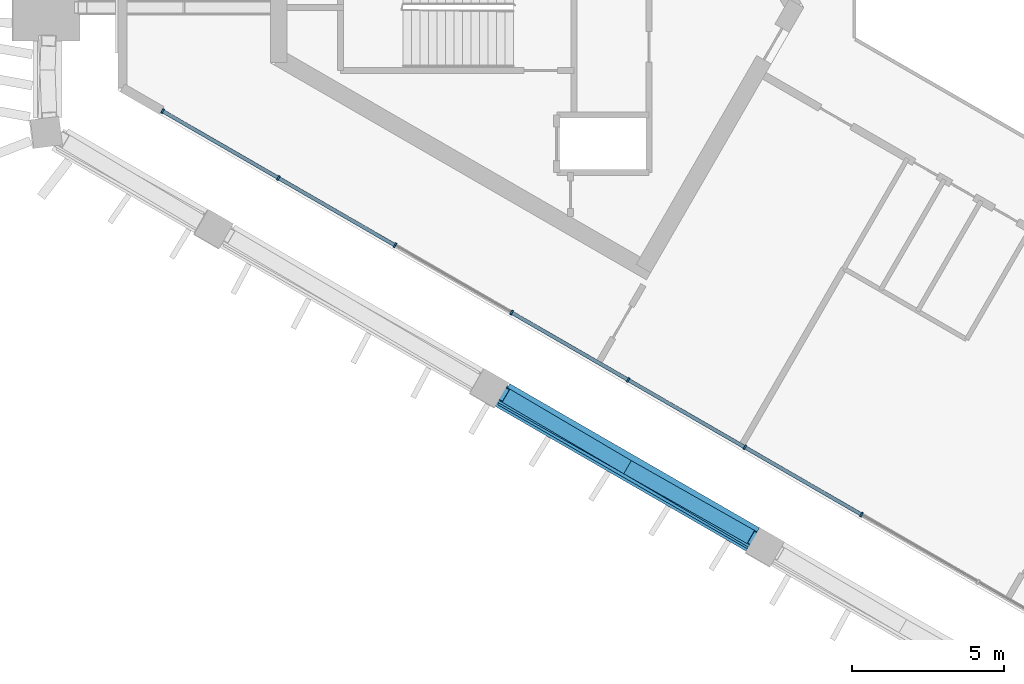
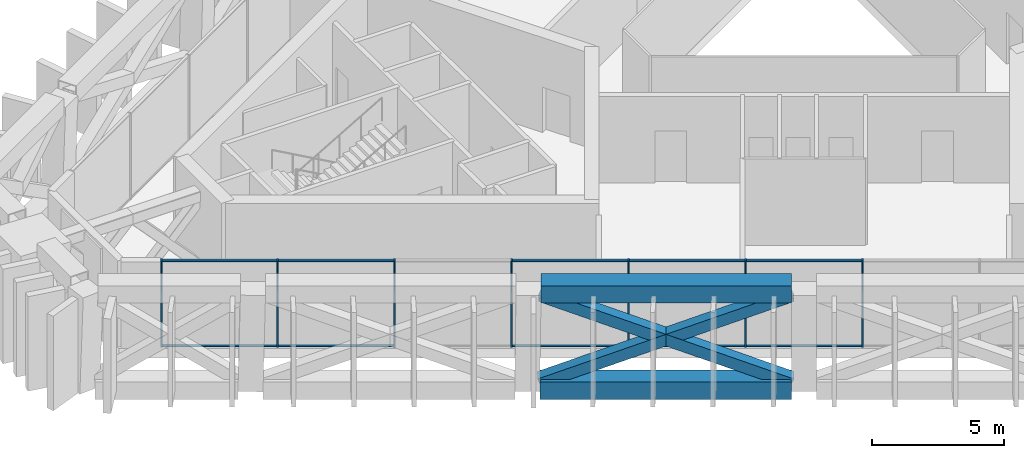
# One storey, part 2 of 15: 21 members, 1 element without a shape of its own.
"""IFC4 building model written with IfcOpenShell, lengths in metres."""

from ifc_helpers import new_model, si_unit, direction, frame, origin, origin_2d, place, context, subcontext, project, spatial, rectangle, hollow_rectangle, extrude, material, layer, layer_set, material_profile, profile_set, type_object, element, aggregate, save


model = new_model("IFC4")

# Units and contexts
model_context = context("Model", 3, precision=1e-05, world=origin(), true_north=direction((0.0, 1.0)))
body_context = subcontext(model_context, "Body", "Model", "MODEL_VIEW")
ifc_project = project(units=[si_unit("LENGTHUNIT", "METRE"), si_unit("AREAUNIT", "SQUARE_METRE"), si_unit("VOLUMEUNIT", "CUBIC_METRE"), si_unit("PLANEANGLEUNIT", "RADIAN"), si_unit("MASSUNIT", "GRAM", prefix="KILO")], contexts=[model_context])

# Site, building, storey
site_placement = place(None, origin())
site = spatial("IfcSite", under=ifc_project, at=site_placement, CompositionType="ELEMENT")
building_placement = place(site_placement, origin())
building = spatial("IfcBuilding", under=site, at=building_placement, Name="Jabali Bay Hotel Tower and Convention Centre", CompositionType="ELEMENT")
storey_placement = place(building_placement, frame((0.0, 0.0, 201.39990234375)))
storey = spatial("IfcBuildingStorey", under=building, at=storey_placement, Name="L49", CompositionType="ELEMENT", Elevation=201.39990234375)

# Members
ifc_material_1 = material(Name="Steel Q420GJC", Category="steel")
ifc_material_profile_1 = material_profile(ifc_material_1, hollow_rectangle(XDim=0.5, YDim=0.5, WallThickness=0.030029296875, at=origin_2d()), Name="Belt brace 500x500x30")
ifc_profile_set_1 = profile_set([ifc_material_profile_1], Name="Steel Q420GJC")
member_type_1 = type_object("IfcMemberType", Name="Belt brace 500x500x30", PredefinedType="BRACE", material=ifc_profile_set_1)
member_1_placement = place(storey_placement, frame((56.014892578125, 67.19091796875, 0.198974609375), z_axis=(0.802738191331, -0.454478314696, 0.386084003359), x_axis=(0.492678845652, 0.870211212894, 0.0)))
element("IfcMember", 1, at=member_1_placement, inside=storey, type_object=member_type_1, Name="Belt brace T4 F2.2-F2.3 x1", PredefinedType="BRACE", context=body_context, shape_type="SweptSolid", body=[
    extrude(hollow_rectangle(XDim=0.5, YDim=0.5, WallThickness=0.030029296875, at=origin_2d()), origin(), (0.0, 0.0, 1.0), 10.3662109375),
])
member_2_placement = place(storey_placement, frame((64.2958984375, 62.409912109375, 0.19970703125), z_axis=(-0.794404690147, 0.467659995781, 0.387576207498), x_axis=(-0.507312743637, -0.861762020597, 0.0)))
element("IfcMember", 2, at=member_2_placement, inside=storey, type_object=member_type_1, Name="Belt brace T4 F2.2-F2.3 x2", PredefinedType="BRACE", context=body_context, shape_type="SweptSolid", body=[
    extrude(hollow_rectangle(XDim=0.5, YDim=0.5, WallThickness=0.030029296875, at=origin_2d()), origin(), (0.0, 0.0, 1.0), 10.322509765625),
])
ifc_material_profile_2 = material_profile(ifc_material_1, hollow_rectangle(XDim=0.800048828125, YDim=0.800048828125, WallThickness=0.0400390625, at=origin_2d()), Name="Belt chord 800x800x40")
ifc_profile_set_2 = profile_set([ifc_material_profile_2], Name="Steel Q420GJC")
member_type_2 = type_object("IfcMemberType", Name="Belt chord 800x800x40", PredefinedType="CHORD", material=ifc_profile_set_2)
member_3_placement = place(storey_placement, frame((56.0126953125, 67.1875, 0.0), z_axis=(0.866022320763, -0.500005339912, 0.0), x_axis=(0.500005339912, 0.866022320763, 0.0)))
element("IfcMember", 3, at=member_3_placement, inside=storey, type_object=member_type_2, Name="Belt chord T4 F2.2-F2.3", PredefinedType="CHORD", context=body_context, shape_type="SweptSolid", body=[
    extrude(hollow_rectangle(XDim=0.800048828125, YDim=0.800048828125, WallThickness=0.0400390625, at=origin_2d()), origin(), (0.0, 0.0, 1.0), 9.5625),
])
member_4_placement = place(storey_placement, frame((56.097900390625, 67.240966796875, 4.400146484375), z_axis=(0.866022362689, -0.500005267295, 0.0), x_axis=(0.500005267295, 0.866022362689, 0.0)))
element("IfcMember", 4, at=member_4_placement, inside=storey, type_object=member_type_2, Name="Belt chord T4 F2.2-F2.3", PredefinedType="CHORD", context=body_context, shape_type="SweptSolid", body=[
    extrude(hollow_rectangle(XDim=0.800048828125, YDim=0.800048828125, WallThickness=0.0400390625, at=origin_2d()), origin(), (0.0, 0.0, 1.0), 9.51513671875),
])

# Curtain wall, members
ifc_material_2 = material(Name="Aluminium and glass", Category="aluminium")
ifc_layer = layer(ifc_material_2, 0.159912109375)
ifc_layer_set = layer_set([ifc_layer], Name="Aluminium and glass")
curtain_wall_type = type_object("IfcCurtainWallType", Name="CW3 curtain wall", PredefinedType="NOTDEFINED", material=ifc_layer_set)
curtain_wall_placement = place(storey_placement, origin())
curtain_wall = element("IfcCurtainWall", 5, at=curtain_wall_placement, inside=storey, type_object=curtain_wall_type, Name="CW3 curtain wall south-west face L49", PredefinedType="NOTDEFINED")
ifc_material_3 = material(Name="Aluminium", Category="aluminium")
ifc_material_profile_3 = material_profile(ifc_material_3, rectangle(XDim=0.159912109375, YDim=0.06005859375, at=origin_2d()), Name="CW3 mullion 60 x 160")
ifc_profile_set_3 = profile_set([ifc_material_profile_3], Name="Aluminium")
member_type_3 = type_object("IfcMemberType", Name="CW3 mullion 60 x 160", PredefinedType="MULLION", material=ifc_profile_set_3)
member_5_placement = place(storey_placement, frame((67.904296875, 63.266357421875, 0.0), z_axis=(0.0, 0.0, 1.0), x_axis=(-0.500000002025, -0.866025402615, 0.0)))
member_5 = element("IfcMember", 6, at=member_5_placement, type_object=member_type_3, Name="CW3 mullion 6", PredefinedType="MULLION", context=body_context, shape_type="SweptSolid", body=[
    extrude(rectangle(XDim=0.159912109375, YDim=0.06005859375, at=origin_2d()), origin(), (0.0, 0.0, 1.0), 4.0),
])
member_6_placement = place(storey_placement, frame((64.05615234375, 65.488037109375, 0.0), z_axis=(0.0, 0.0, 1.0), x_axis=(-0.500000002025, -0.866025402615, 0.0)))
member_6 = element("IfcMember", 7, at=member_6_placement, type_object=member_type_3, Name="CW3 mullion 7", PredefinedType="MULLION", context=body_context, shape_type="SweptSolid", body=[
    extrude(rectangle(XDim=0.159912109375, YDim=0.06005859375, at=origin_2d()), origin(), (0.0, 0.0, 1.0), 4.0),
])
member_7_placement = place(storey_placement, frame((60.208251953125, 67.709716796875, 0.0), z_axis=(0.0, 0.0, 1.0), x_axis=(-0.500000002025, -0.866025402615, 0.0)))
member_7 = element("IfcMember", 8, at=member_7_placement, type_object=member_type_3, Name="CW3 mullion 8", PredefinedType="MULLION", context=body_context, shape_type="SweptSolid", body=[
    extrude(rectangle(XDim=0.159912109375, YDim=0.06005859375, at=origin_2d()), origin(), (0.0, 0.0, 1.0), 4.0),
])
member_8_placement = place(storey_placement, frame((56.360107421875, 69.931396484375, 0.0), z_axis=(0.0, 0.0, 1.0), x_axis=(-0.500000002025, -0.866025402615, 0.0)))
member_8 = element("IfcMember", 9, at=member_8_placement, type_object=member_type_3, Name="CW3 mullion 9", PredefinedType="MULLION", context=body_context, shape_type="SweptSolid", body=[
    extrude(rectangle(XDim=0.159912109375, YDim=0.06005859375, at=origin_2d()), origin(), (0.0, 0.0, 1.0), 4.0),
])
member_9_placement = place(storey_placement, frame((52.51220703125, 72.153076171875, 0.0), z_axis=(0.0, 0.0, 1.0), x_axis=(-0.500000002025, -0.866025402615, 0.0)))
member_9 = element("IfcMember", 10, at=member_9_placement, type_object=member_type_3, Name="CW3 mullion 10", PredefinedType="MULLION", context=body_context, shape_type="SweptSolid", body=[
    extrude(rectangle(XDim=0.159912109375, YDim=0.06005859375, at=origin_2d()), origin(), (0.0, 0.0, 1.0), 4.0),
])
member_10_placement = place(storey_placement, frame((48.6640625, 74.374755859375, 0.0), z_axis=(0.0, 0.0, 1.0), x_axis=(-0.500000002025, -0.866025402615, 0.0)))
member_10 = element("IfcMember", 11, at=member_10_placement, type_object=member_type_3, Name="CW3 mullion 11", PredefinedType="MULLION", context=body_context, shape_type="SweptSolid", body=[
    extrude(rectangle(XDim=0.159912109375, YDim=0.06005859375, at=origin_2d()), origin(), (0.0, 0.0, 1.0), 4.0),
])
member_11_placement = place(storey_placement, frame((44.842041015625, 76.581298828125, 0.0), z_axis=(0.0, 0.0, 1.0), x_axis=(-0.500000002025, -0.866025402615, 0.0)))
member_11 = element("IfcMember", 12, at=member_11_placement, type_object=member_type_3, Name="CW3 mullion 12", PredefinedType="MULLION", context=body_context, shape_type="SweptSolid", body=[
    extrude(rectangle(XDim=0.159912109375, YDim=0.06005859375, at=origin_2d()), origin(), (0.0, 0.0, 1.0), 4.0),
])
ifc_material_profile_4 = material_profile(ifc_material_3, rectangle(XDim=0.1201171875, YDim=0.06005859375, at=origin_2d()), Name="CW3 transom 60 x 120")
ifc_profile_set_4 = profile_set([ifc_material_profile_4], Name="Aluminium")
member_type_4 = type_object("IfcMemberType", Name="CW3 transom 60 x 120", PredefinedType="USERDEFINED", material=ifc_profile_set_4)
member_12_placement = place(storey_placement, frame((67.878173828125, 63.281494140625, 0.030029296875), z_axis=(-0.866016768837, 0.500014955869, 0.0), x_axis=(-0.500014955869, -0.866016768837, 0.0)))
member_12 = element("IfcMember", 13, at=member_12_placement, type_object=member_type_4, Name="CW3 transom 6.1", ObjectType="TRANSOM", PredefinedType="USERDEFINED", context=body_context, shape_type="SweptSolid", body=[
    extrude(rectangle(XDim=0.1201171875, YDim=0.06005859375, at=origin_2d()), origin(), (0.0, 0.0, 1.0), 4.383056640625),
])
member_13_placement = place(storey_placement, frame((67.878173828125, 63.281494140625, 3.97021484375), z_axis=(-0.866016768837, 0.500014955869, 0.0), x_axis=(-0.500014955869, -0.866016768837, 0.0)))
member_13 = element("IfcMember", 14, at=member_13_placement, type_object=member_type_4, Name="CW3 transom 6.2", ObjectType="TRANSOM", PredefinedType="USERDEFINED", context=body_context, shape_type="SweptSolid", body=[
    extrude(rectangle(XDim=0.1201171875, YDim=0.06005859375, at=origin_2d()), origin(), (0.0, 0.0, 1.0), 4.383056640625),
])
member_14_placement = place(storey_placement, frame((64.0302734375, 65.503173828125, 0.030029296875), z_axis=(-0.866030693553, 0.49999083774, 0.0), x_axis=(-0.49999083774, -0.866030693553, 0.0)))
member_14 = element("IfcMember", 15, at=member_14_placement, type_object=member_type_4, Name="CW3 transom 7.1", ObjectType="TRANSOM", PredefinedType="USERDEFINED", context=body_context, shape_type="SweptSolid", body=[
    extrude(rectangle(XDim=0.1201171875, YDim=0.06005859375, at=origin_2d()), origin(), (0.0, 0.0, 1.0), 4.38330078125),
])
member_15_placement = place(storey_placement, frame((64.0302734375, 65.503173828125, 3.97021484375), z_axis=(-0.866030693553, 0.49999083774, 0.0), x_axis=(-0.49999083774, -0.866030693553, 0.0)))
member_15 = element("IfcMember", 16, at=member_15_placement, type_object=member_type_4, Name="CW3 transom 7.2", ObjectType="TRANSOM", PredefinedType="USERDEFINED", context=body_context, shape_type="SweptSolid", body=[
    extrude(rectangle(XDim=0.1201171875, YDim=0.06005859375, at=origin_2d()), origin(), (0.0, 0.0, 1.0), 4.38330078125),
])
member_16_placement = place(storey_placement, frame((60.18212890625, 67.724609375, 0.030029296875), z_axis=(-0.866006576058, 0.500032609161, 0.0), x_axis=(-0.500032609161, -0.866006576058, 0.0)))
member_16 = element("IfcMember", 17, at=member_16_placement, type_object=member_type_4, Name="CW3 transom 8.1", ObjectType="TRANSOM", PredefinedType="USERDEFINED", context=body_context, shape_type="SweptSolid", body=[
    extrude(rectangle(XDim=0.1201171875, YDim=0.06005859375, at=origin_2d()), origin(), (0.0, 0.0, 1.0), 4.383544921875),
])
member_17_placement = place(storey_placement, frame((60.18212890625, 67.724609375, 3.97021484375), z_axis=(-0.866006576058, 0.500032609161, 0.0), x_axis=(-0.500032609161, -0.866006576058, 0.0)))
member_17 = element("IfcMember", 18, at=member_17_placement, type_object=member_type_4, Name="CW3 transom 8.2", ObjectType="TRANSOM", PredefinedType="USERDEFINED", context=body_context, shape_type="SweptSolid", body=[
    extrude(rectangle(XDim=0.1201171875, YDim=0.06005859375, at=origin_2d()), origin(), (0.0, 0.0, 1.0), 4.383544921875),
])
member_18_placement = place(storey_placement, frame((52.486083984375, 72.16796875, 0.030029296875), z_axis=(-0.866030693553, 0.49999083774, 0.0), x_axis=(-0.49999083774, -0.866030693553, 0.0)))
member_18 = element("IfcMember", 19, at=member_18_placement, type_object=member_type_4, Name="CW3 transom 10.1", ObjectType="TRANSOM", PredefinedType="USERDEFINED", context=body_context, shape_type="SweptSolid", body=[
    extrude(rectangle(XDim=0.1201171875, YDim=0.06005859375, at=origin_2d()), origin(), (0.0, 0.0, 1.0), 4.38330078125),
])
member_19_placement = place(storey_placement, frame((52.486083984375, 72.16796875, 3.97021484375), z_axis=(-0.866030693553, 0.49999083774, 0.0), x_axis=(-0.49999083774, -0.866030693553, 0.0)))
member_19 = element("IfcMember", 20, at=member_19_placement, type_object=member_type_4, Name="CW3 transom 10.2", ObjectType="TRANSOM", PredefinedType="USERDEFINED", context=body_context, shape_type="SweptSolid", body=[
    extrude(rectangle(XDim=0.1201171875, YDim=0.06005859375, at=origin_2d()), origin(), (0.0, 0.0, 1.0), 4.38330078125),
])
member_20_placement = place(storey_placement, frame((48.63818359375, 74.3896484375, 0.030029296875), z_axis=(-0.86602589447, 0.499999150107, 0.0), x_axis=(-0.499999150107, -0.86602589447, 0.0)))
member_20 = element("IfcMember", 21, at=member_20_placement, type_object=member_type_4, Name="CW3 transom 11.1", ObjectType="TRANSOM", PredefinedType="USERDEFINED", context=body_context, shape_type="SweptSolid", body=[
    extrude(rectangle(XDim=0.1201171875, YDim=0.06005859375, at=origin_2d()), origin(), (0.0, 0.0, 1.0), 4.353515625),
])
member_21_placement = place(storey_placement, frame((48.63818359375, 74.3896484375, 3.97021484375), z_axis=(-0.86602589447, 0.499999150107, 0.0), x_axis=(-0.499999150107, -0.86602589447, 0.0)))
member_21 = element("IfcMember", 22, at=member_21_placement, type_object=member_type_4, Name="CW3 transom 11.2", ObjectType="TRANSOM", PredefinedType="USERDEFINED", context=body_context, shape_type="SweptSolid", body=[
    extrude(rectangle(XDim=0.1201171875, YDim=0.06005859375, at=origin_2d()), origin(), (0.0, 0.0, 1.0), 4.353515625),
])
aggregate(curtain_wall, [member_5, member_6, member_7, member_8, member_9, member_10, member_11, member_12, member_13, member_14, member_15, member_16, member_17, member_18, member_19, member_20, member_21])

save(model, "model.ifc")
